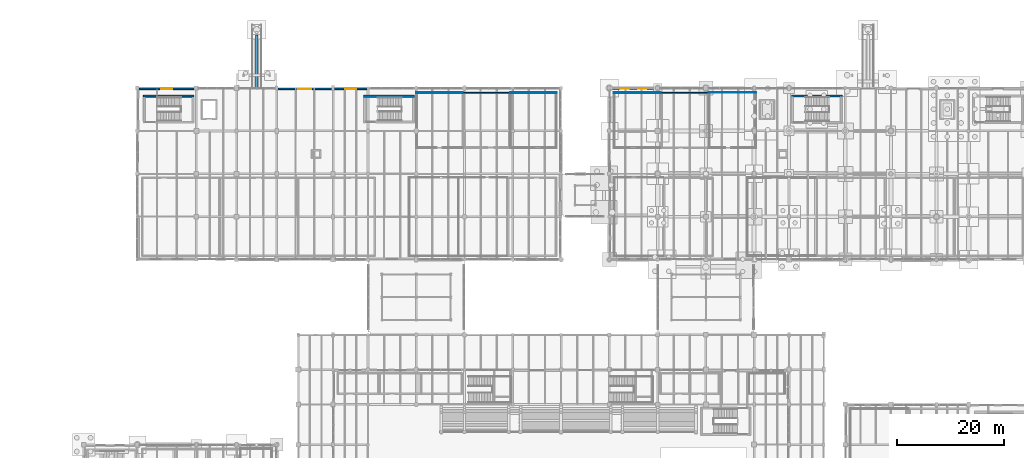
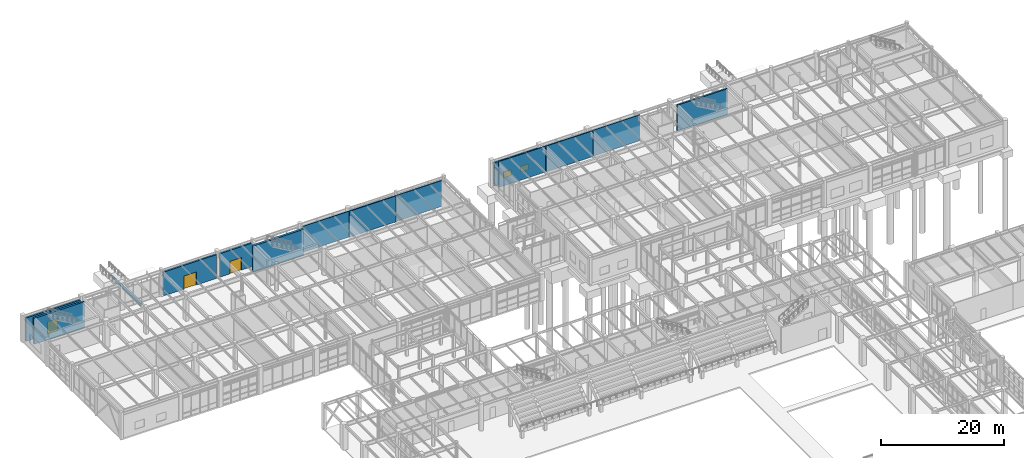
# One storey, part 183 of 203: 14 walls, 3 doors, 2 windows, 5 openings.
"""IFC4 building model written with IfcOpenShell, lengths in metres."""

from ifc_helpers import new_model, si_unit, direction, frame, frame_2d, origin, place, context, subcontext, project, spatial, polyline, rectangle, outline, extrude, material, layer, layer_set, type_object, element, fill, save


model = new_model("IFC4")

# Units and contexts
model_context = context("Model", 3, precision=1e-05, world=origin(), true_north=direction((0.0, 1.0)))
body_context = subcontext(model_context, "Body", "Model", "MODEL_VIEW")
ifc_project = project(units=[si_unit("LENGTHUNIT", "METRE"), si_unit("AREAUNIT", "SQUARE_METRE"), si_unit("VOLUMEUNIT", "CUBIC_METRE"), si_unit("PLANEANGLEUNIT", "RADIAN"), si_unit("MASSUNIT", "GRAM", prefix="KILO"), si_unit("THERMODYNAMICTEMPERATUREUNIT", "KELVIN"), si_unit("POWERUNIT", "WATT")], contexts=[model_context])

# Site, building, storey
site_placement = place(None, origin())
site = spatial("IfcSite", under=ifc_project, at=site_placement, CompositionType="ELEMENT")
building_placement = place(site_placement, origin())
building = spatial("IfcBuilding", under=site, at=building_placement, Name="Tepalcoro Natatorium and Aquatics Centre", CompositionType="ELEMENT")
storey_placement = place(building_placement, origin())
storey = spatial("IfcBuildingStorey", under=building, at=storey_placement, Name="L00", CompositionType="ELEMENT", Elevation=0.0)

# Wall, opening, door
ifc_material_1 = material(Name="Jalisco Cantera Rosa Volcanic Tuff Ashlar Masonry", Category="masonry")
ifc_layer_1 = layer(ifc_material_1, 0.320068359375)
ifc_layer_set_1 = layer_set([ifc_layer_1], Name="Jalisco Cantera Rosa Volcanic Tuff Ashlar Masonry")
wall_type_1 = type_object("IfcWallType", Name="WL_EXT_STONE_320", PredefinedType="SOLIDWALL", material=ifc_layer_set_1)
wall_1_placement = place(storey_placement, frame((10.35400390625, 117.840087890625, 0.0), z_axis=(0.0, 0.0, 1.0), x_axis=(1.0, 0.0, 0.0)))
wall_1 = element("IfcWall", 1, at=wall_1_placement, inside=storey, type_object=wall_type_1, Name="V4 L00 N Volcanic Basalt Envelope Wall", PredefinedType="SOLIDWALL", context=body_context, shape_type="SweptSolid", body=[
    extrude(rectangle(XDim=10.241943359375, YDim=0.320068359375, at=frame_2d((5.12109375, 0.0))), origin(), (0.0, 0.0, 1.0), 4.669921875),
])
opening_1_placement = place(wall_1_placement, frame((4.12109375, 0.0, 0.0)))
opening_1 = element("IfcOpeningElement", 2, at=opening_1_placement, cuts=wall_1, Name="Opening ED5031", PredefinedType="OPENING", context=body_context, shape_type="SweptSolid", body=[
    extrude(rectangle(XDim=2.0, YDim=2.39990234375, at=frame_2d((1.0, 1.199951171875))), frame((0.0, 0.171875, 0.0), z_axis=(0.0, -1.0, 0.0), x_axis=(1.0, 0.0, 0.0)), (0.0, 0.0, 1.0), 0.343994140625),
])
ifc_material_2 = material(Name="Bronze-Anodised Extruded Aluminium Alloy EN AW-6063 T6", Category="aluminium")
door_type_1 = type_object("IfcDoorType", Name="DR_200x240_EXT", OperationType="NOTDEFINED", PredefinedType="DOOR", material=ifc_material_2)
door_1_placement = place(opening_1_placement, origin())
door_1 = element("IfcDoor", 3, at=door_1_placement, inside=storey, type_object=door_type_1, Name="V4 North Exit Discharge W", OperationType="DOUBLE_DOOR_SINGLE_SWING", OverallHeight=2.39990234375, OverallWidth=2.0, PredefinedType="DOOR", context=body_context, shape_type="SweptSolid", body=[
    extrude(rectangle(XDim=2.0, YDim=2.39990234375, at=frame_2d((1.0, 1.199951171875))), frame((0.0, 0.02490234375, 0.0), z_axis=(0.0, -1.0, 0.0), x_axis=(1.0, 0.0, 0.0)), (0.0, 0.0, 1.0), 0.050048828125),
])
fill(opening_1, door_1)

wall_2_placement = place(storey_placement, frame((36.25390625, 117.840087890625, 0.0), z_axis=(0.0, 0.0, 1.0), x_axis=(1.0, 0.0, 0.0)))
wall_2 = element("IfcWall", 4, at=wall_2_placement, inside=storey, type_object=wall_type_1, Name="V4 L00 N Volcanic Basalt Envelope Wall", PredefinedType="SOLIDWALL", context=body_context, shape_type="SweptSolid", body=[
    extrude(rectangle(XDim=9.942138671875, YDim=0.320068359375, at=frame_2d((4.97119140625, 0.0))), origin(), (0.0, 0.0, 1.0), 4.717041015625),
])
opening_2_placement = place(wall_2_placement, frame((3.77099609375, 0.0, 0.0)))
opening_2 = element("IfcOpeningElement", 5, at=opening_2_placement, cuts=wall_2, Name="Opening ED5032", PredefinedType="OPENING", context=body_context, shape_type="SweptSolid", body=[
    extrude(rectangle(XDim=2.39990234375, YDim=2.60009765625, at=frame_2d((1.199951171875, 1.300048828125))), frame((0.0, 0.171875, 0.0), z_axis=(0.0, -1.0, 0.0), x_axis=(1.0, 0.0, 0.0)), (0.0, 0.0, 1.0), 0.343994140625),
])
door_type_2 = type_object("IfcDoorType", Name="DR_240x260_EXT", OperationType="NOTDEFINED", PredefinedType="DOOR", material=ifc_material_2)
door_2_placement = place(opening_2_placement, origin())
door_2 = element("IfcDoor", 6, at=door_2_placement, inside=storey, type_object=door_type_2, Name="V4 North Athletic Drop-Off Entrance", OperationType="DOUBLE_DOOR_SINGLE_SWING", OverallHeight=2.60009765625, OverallWidth=2.39990234375, PredefinedType="DOOR", context=body_context, shape_type="SweptSolid", body=[
    extrude(rectangle(XDim=2.39990234375, YDim=2.60009765625, at=frame_2d((1.199951171875, 1.300048828125))), frame((0.0, 0.02490234375, 0.0), z_axis=(0.0, -1.0, 0.0), x_axis=(1.0, 0.0, 0.0)), (0.0, 0.0, 1.0), 0.050048828125),
])
fill(opening_2, door_2)

wall_3_placement = place(storey_placement, frame((46.803955078125, 117.840087890625, 0.0), z_axis=(0.0, 0.0, 1.0), x_axis=(1.0, 0.0, 0.0)))
wall_3 = element("IfcWall", 7, at=wall_3_placement, inside=storey, type_object=wall_type_1, Name="V4 L00 N Volcanic Basalt Envelope Wall", PredefinedType="SOLIDWALL", context=body_context, shape_type="SweptSolid", body=[
    extrude(rectangle(XDim=5.942138671875, YDim=0.320068359375, at=frame_2d((2.97119140625, 0.0))), origin(), (0.0, 0.0, 1.0), 4.669921875),
])
opening_3_placement = place(wall_3_placement, frame((1.9208984375, 0.0, 0.0)))
opening_3 = element("IfcOpeningElement", 8, at=opening_3_placement, cuts=wall_3, Name="Opening ED5033", PredefinedType="OPENING", context=body_context, shape_type="SweptSolid", body=[
    extrude(rectangle(XDim=2.10009765625, YDim=2.5, at=frame_2d((1.050048828125, 1.25))), frame((0.0, 0.171875, 0.0), z_axis=(0.0, -1.0, 0.0), x_axis=(1.0, 0.0, 0.0)), (0.0, 0.0, 1.0), 0.343994140625),
])
door_type_3 = type_object("IfcDoorType", Name="DR_210x250_EXT", OperationType="NOTDEFINED", PredefinedType="DOOR", material=ifc_material_2)
door_3_placement = place(opening_3_placement, origin())
door_3 = element("IfcDoor", 9, at=door_3_placement, inside=storey, type_object=door_type_3, Name="V4 North Foyer Exit Portal", OperationType="DOUBLE_DOOR_SINGLE_SWING", OverallHeight=2.5, OverallWidth=2.10009765625, PredefinedType="DOOR", context=body_context, shape_type="SweptSolid", body=[
    extrude(rectangle(XDim=2.10009765625, YDim=2.5, at=frame_2d((1.050048828125, 1.25))), frame((0.0, 0.02490234375, 0.0), z_axis=(0.0, -1.0, 0.0), x_axis=(1.0, 0.0, 0.0)), (0.0, 0.0, 1.0), 0.050048828125),
])
fill(opening_3, door_3)

# Wall, openings, windows
ifc_layer_2 = layer(ifc_material_1, 0.304931640625)
ifc_layer_set_2 = layer_set([ifc_layer_2], Name="Jalisco Cantera Rosa Volcanic Tuff Ashlar Masonry")
wall_type_2 = type_object("IfcWallType", Name="WL_EXT_TERRACOTTA_300", PredefinedType="SOLIDWALL", material=ifc_layer_set_2)
wall_4_placement = place(storey_placement, frame((98.35400390625, 117.847412109375, 0.0), z_axis=(0.0, 0.0, 1.0), x_axis=(1.0, 0.0, 0.0)))
wall_4 = element("IfcWall", 10, at=wall_4_placement, inside=storey, type_object=wall_type_2, Name="V5 L00 N Volcanic Basalt Envelope Wall", PredefinedType="SOLIDWALL", context=body_context, shape_type="SweptSolid", body=[
    extrude(rectangle(XDim=8.241943359375, YDim=0.304931640625, at=frame_2d((4.12109375, 0.0))), origin(), (0.0, 0.0, 1.0), 4.64990234375),
])
opening_4_placement = place(wall_4_placement, frame((1.747314453125, 0.0, 0.949951171875)))
opening_4 = element("IfcOpeningElement", 11, at=opening_4_placement, cuts=wall_4, Name="Opening W0086A", PredefinedType="OPENING", context=body_context, shape_type="SweptSolid", body=[
    extrude(rectangle(XDim=1.5, YDim=1.199951171875, at=frame_2d((0.75, 0.60009765625))), frame((0.0, 0.16455078125, 0.0), z_axis=(0.0, -1.0, 0.0), x_axis=(1.0, 0.0, 0.0)), (0.0, 0.0, 1.0), 0.328857421875),
])
opening_5_placement = place(wall_4_placement, frame((4.99462890625, 0.0, 0.949951171875)))
opening_5 = element("IfcOpeningElement", 12, at=opening_5_placement, cuts=wall_4, Name="Opening W0086B", PredefinedType="OPENING", context=body_context, shape_type="SweptSolid", body=[
    extrude(rectangle(XDim=1.5, YDim=1.199951171875, at=frame_2d((0.75, 0.60009765625))), frame((0.0, 0.16455078125, 0.0), z_axis=(0.0, -1.0, 0.0), x_axis=(1.0, 0.0, 0.0)), (0.0, 0.0, 1.0), 0.328857421875),
])
ifc_material_3 = material(Name="Solar-Control Bronze Tempered Low-E Double Glazing", Category="glass")
window_type = type_object("IfcWindowType", Name="WN_150x120", PartitioningType="SINGLE_PANEL", PredefinedType="WINDOW", material=ifc_material_3)
window_1_placement = place(opening_4_placement, origin())
window_1 = element("IfcWindow", 13, at=window_1_placement, inside=storey, type_object=window_type, Name="Exterior Thermal Window WN_150x120", OverallHeight=1.199951171875, OverallWidth=1.5, PartitioningType="SINGLE_PANEL", PredefinedType="WINDOW", context=body_context, shape_type="SweptSolid", body=[
    extrude(rectangle(XDim=1.5, YDim=1.199951171875, at=frame_2d((0.75, 0.60009765625))), frame((0.0, 0.030029296875, 0.0), z_axis=(0.0, -1.0, 0.0), x_axis=(1.0, 0.0, 0.0)), (0.0, 0.0, 1.0), 0.06005859375),
])
fill(opening_4, window_1)
window_2_placement = place(opening_5_placement, origin())
window_2 = element("IfcWindow", 14, at=window_2_placement, inside=storey, type_object=window_type, Name="Exterior Thermal Window WN_150x120", OverallHeight=1.199951171875, OverallWidth=1.5, PartitioningType="SINGLE_PANEL", PredefinedType="WINDOW", context=body_context, shape_type="SweptSolid", body=[
    extrude(rectangle(XDim=1.5, YDim=1.199951171875, at=frame_2d((0.75, 0.60009765625))), frame((0.0, 0.030029296875, 0.0), z_axis=(0.0, -1.0, 0.0), x_axis=(1.0, 0.0, 0.0)), (0.0, 0.0, 1.0), 0.06005859375),
])
fill(opening_5, window_2)

# Walls
ifc_material_4 = material(Name="Moisture-Resistant Acoustic Gypsum Drywall on Cold-Formed Metal Studs")
ifc_layer_3 = layer(ifc_material_4, 0.125)
ifc_layer_set_3 = layer_set([ifc_layer_3], Name="Moisture-Resistant Acoustic Gypsum Drywall on Cold-Formed Metal Studs")
wall_type_3 = type_object("IfcWallType", Name="WL_PART_125", PredefinedType="PARTITIONING", material=ifc_layer_set_3)
wall_5_placement = place(storey_placement, frame((116.572998046875, 117.137451171875, 0.0), z_axis=(0.0, 0.0, 1.0), x_axis=(1.0, 0.0, 0.0)))
element("IfcWall", 15, at=wall_5_placement, inside=storey, type_object=wall_type_3, Name="Facility Administration & Security Control Office Partition N", PredefinedType="PARTITIONING", context=body_context, shape_type="SweptSolid", body=[
    extrude(rectangle(XDim=8.787109375, YDim=0.125, at=frame_2d((4.3935546875, 0.0))), origin(), (0.0, 0.0, 1.0), 5.125),
])
ifc_layer_4 = layer(ifc_material_4, 0.14990234375)
ifc_layer_set_4 = layer_set([ifc_layer_4], Name="Moisture-Resistant Acoustic Gypsum Drywall on Cold-Formed Metal Studs")
wall_type_4 = type_object("IfcWallType", Name="WL_PART_150_AC", PredefinedType="PARTITIONING", material=ifc_layer_set_4)
wall_6_placement = place(storey_placement, frame((62.0400390625, 117.125, 0.0), z_axis=(0.0, 0.0, 1.0), x_axis=(1.0, 0.0, 0.0)))
element("IfcWall", 16, at=wall_6_placement, inside=storey, type_object=wall_type_4, Name="Hydrotherapy & Pediatric Rehab Consultation Suite Partition N", PredefinedType="PARTITIONING", context=body_context, shape_type="SweptSolid", body=[
    extrude(rectangle(XDim=8.653076171875, YDim=0.14990234375, at=frame_2d((4.32666015625, 0.0))), origin(), (0.0, 0.0, 1.0), 5.14501953125),
])
wall_7_placement = place(storey_placement, frame((79.507080078125, 117.125, 0.0), z_axis=(0.0, 0.0, 1.0), x_axis=(1.0, 0.0, 0.0)))
element("IfcWall", 17, at=wall_7_placement, inside=storey, type_object=wall_type_4, Name="Aquatic Rehab Mobility Aid & Hoist Store Partition N", PredefinedType="PARTITIONING", context=body_context, shape_type="SweptSolid", body=[
    extrude(rectangle(XDim=8.65283203125, YDim=0.14990234375, at=frame_2d((4.326416015625, 0.0))), origin(), (0.0, 0.0, 1.0), 5.14501953125),
])
wall_8_placement = place(storey_placement, frame((98.840087890625, 117.125, 0.0), z_axis=(0.0, 0.0, 1.0), x_axis=(1.0, 0.0, 0.0)))
element("IfcWall", 18, at=wall_8_placement, inside=storey, type_object=wall_type_4, Name="Family & Infant Swim Wet Changing Suite Partition N", PredefinedType="PARTITIONING", context=body_context, shape_type="SweptSolid", body=[
    extrude(rectangle(XDim=8.786865234375, YDim=0.14990234375, at=frame_2d((4.3935546875, 0.0))), origin(), (0.0, 0.0, 1.0), 5.125),
])
ifc_material_5 = material(Name="Ceramic-Tiled Moisture-Resistant Masonry Blockwork", Category="masonry")
ifc_layer_5 = layer(ifc_material_5, 0.199951171875)
ifc_layer_set_5 = layer_set([ifc_layer_5], Name="Ceramic-Tiled Moisture-Resistant Masonry Blockwork")
wall_type_5 = type_object("IfcWallType", Name="WL_PLUMB_200", PredefinedType="PLUMBINGWALL", material=ifc_layer_set_5)
wall_9_placement = place(storey_placement, frame((107.70703125, 117.10009765625, 0.0), z_axis=(0.0, 0.0, 1.0), x_axis=(1.0, 0.0, 0.0)))
element("IfcWall", 19, at=wall_9_placement, inside=storey, type_object=wall_type_5, Name="Family Accessible Baby-Change & Shower WC Partition N", PredefinedType="PLUMBINGWALL", context=body_context, shape_type="SweptSolid", body=[
    extrude(rectangle(XDim=8.785888671875, YDim=0.199951171875, at=frame_2d((4.39306640625, 0.0))), origin(), (0.0, 0.0, 1.0), 5.125),
])
ifc_layer_6 = layer(ifc_material_5, 0.219970703125)
ifc_layer_set_6 = layer_set([ifc_layer_6], Name="Ceramic-Tiled Moisture-Resistant Masonry Blockwork")
wall_type_6 = type_object("IfcWallType", Name="WL_PLUMB_220", PredefinedType="PLUMBINGWALL", material=ifc_layer_set_6)
wall_10_placement = place(storey_placement, frame((70.77294921875, 117.090087890625, 0.0), z_axis=(0.0, 0.0, 1.0), x_axis=(1.0, 0.0, 0.0)))
element("IfcWall", 20, at=wall_10_placement, inside=storey, type_object=wall_type_6, Name="Hydrotherapy Accessible Assisted Bathroom Partition N", PredefinedType="PLUMBINGWALL", context=body_context, shape_type="SweptSolid", body=[
    extrude(rectangle(XDim=8.654052734375, YDim=0.219970703125, at=frame_2d((4.3271484375, 0.0))), origin(), (0.0, 0.0, 1.0), 5.14501953125),
])
ifc_material_6 = material(Name="Concrete C40/50 (fc 40 MPa)", Category="concrete")
ifc_layer_7 = layer(ifc_material_6, 0.449951171875)
ifc_layer_set_7 = layer_set([ifc_layer_7], Name="Concrete C40/50 (fc 40 MPa)")
wall_type_7 = type_object("IfcWallType", Name="WL_RET_450", PredefinedType="USERDEFINED", material=ifc_layer_set_7)
wall_11_placement = place(storey_placement, frame((32.25, 127.919921875, -0.699951171875), z_axis=(0.0, 0.0, 1.0), x_axis=(0.0, -1.0, 0.0)))
element("IfcWall", 21, at=wall_11_placement, inside=storey, type_object=wall_type_7, Name="RMP05 Ramp Supporting Stem Wall", ObjectType="RETAINING WALL", PredefinedType="USERDEFINED", context=body_context, shape_type="SweptSolid", body=[
    extrude(outline(polyline([(0.0, 0.0), (9.9150390625, 0.0), (9.9150390625, 0.483154296875), (0.0, 0.025634765625), (0.0, 0.0)])), frame((0.0, 0.22509765625, 0.0), z_axis=(0.0, -1.0, 0.0), x_axis=(1.0, 0.0, 0.0)), (0.0, 0.0, 1.0), 0.449951171875),
])
ifc_layer_8 = layer(ifc_material_6, 0.300048828125)
ifc_layer_set_8 = layer_set([ifc_layer_8], Name="Concrete C40/50 (fc 40 MPa)")
wall_type_8 = type_object("IfcWallType", Name="WL_SHEAR_300", PredefinedType="SHEAR", material=ifc_layer_set_8)
wall_12_placement = place(storey_placement, frame((132.0, 116.5, 0.0), z_axis=(0.0, 0.0, 1.0), x_axis=(1.0, 0.0, 0.0)))
element("IfcWall", 22, at=wall_12_placement, inside=storey, type_object=wall_type_8, Name="ST09 Core Shear Wall N L00", PredefinedType="SHEAR", context=body_context, shape_type="SweptSolid", body=[
    extrude(rectangle(XDim=9.39990234375, YDim=0.300048828125, at=frame_2d((4.699951171875, 0.0))), origin(), (0.0, 0.0, 1.0), 5.139892578125),
])
ifc_layer_9 = layer(ifc_material_6, 0.35009765625)
ifc_layer_set_9 = layer_set([ifc_layer_9], Name="Concrete C40/50 (fc 40 MPa)")
wall_type_9 = type_object("IfcWallType", Name="WL_SHEAR_350", PredefinedType="SHEAR", material=ifc_layer_set_9)
wall_13_placement = place(storey_placement, frame((11.10009765625, 116.47509765625, 0.0), z_axis=(0.0, 0.0, 1.0), x_axis=(1.0, 0.0, 0.0)))
element("IfcWall", 23, at=wall_13_placement, inside=storey, type_object=wall_type_9, Name="ST07 Core Shear Wall N L00", PredefinedType="SHEAR", context=body_context, shape_type="SweptSolid", body=[
    extrude(rectangle(XDim=9.449951171875, YDim=0.35009765625, at=frame_2d((4.72509765625, 0.0))), origin(), (0.0, 0.0, 1.0), 5.159912109375),
])
ifc_layer_10 = layer(ifc_material_6, 0.39990234375)
ifc_layer_set_10 = layer_set([ifc_layer_10], Name="Concrete C40/50 (fc 40 MPa)")
wall_type_10 = type_object("IfcWallType", Name="WL_SHEAR_400", PredefinedType="SHEAR", material=ifc_layer_set_10)
wall_14_placement = place(storey_placement, frame((52.199951171875, 116.449951171875, 0.0), z_axis=(0.0, 0.0, 1.0), x_axis=(1.0, 0.0, 0.0)))
element("IfcWall", 24, at=wall_14_placement, inside=storey, type_object=wall_type_10, Name="ST08 Core Shear Wall N L00", PredefinedType="SHEAR", context=body_context, shape_type="SweptSolid", body=[
    extrude(rectangle(XDim=9.5, YDim=0.39990234375, at=frame_2d((4.75, 0.0))), origin(), (0.0, 0.0, 1.0), 5.159912109375),
])

save(model, "model.ifc")
